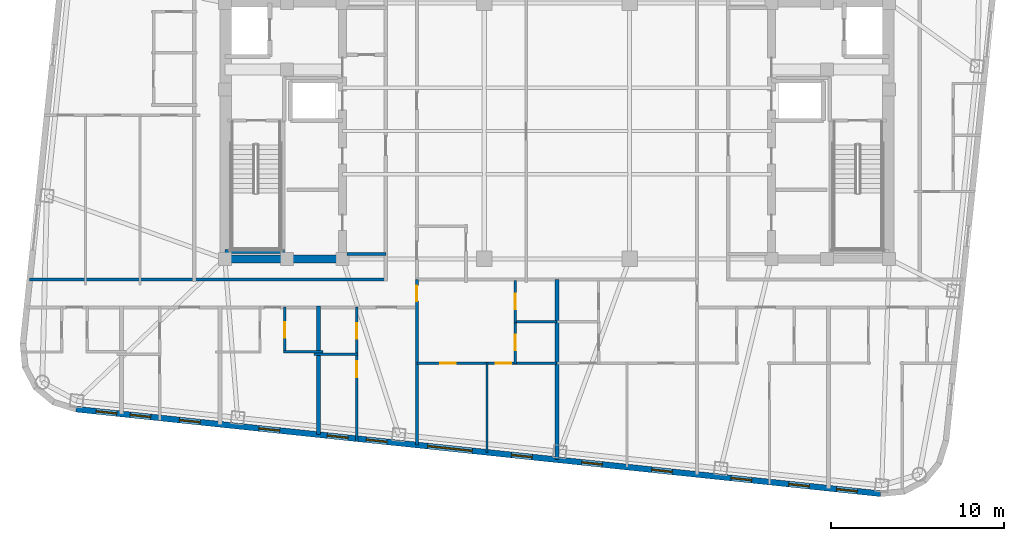
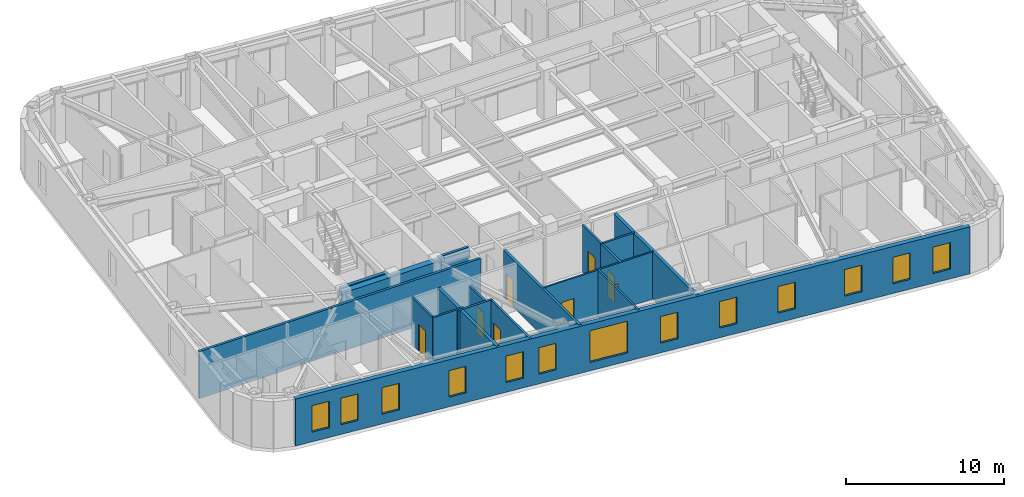
# One storey, part 3 of 11: 18 walls, 13 windows, 8 doors, 21 openings.
"""IFC4 building model written with IfcOpenShell, lengths in metres."""

from ifc_helpers import new_model, si_unit, direction, frame, frame_2d, origin, place, context, subcontext, project, spatial, rectangle, extrude, material, layer, layer_set, type_object, element, fill, save


model = new_model("IFC4")

# Units and contexts
model_context = context("Model", 3, precision=1e-05, world=origin(), true_north=direction((0.0, 1.0)))
body_context = subcontext(model_context, "Body", "Model", "MODEL_VIEW")
ifc_project = project(units=[si_unit("LENGTHUNIT", "METRE"), si_unit("AREAUNIT", "SQUARE_METRE"), si_unit("VOLUMEUNIT", "CUBIC_METRE"), si_unit("PLANEANGLEUNIT", "RADIAN"), si_unit("MASSUNIT", "GRAM", prefix="KILO")], contexts=[model_context])

# Site, building, storey
site_placement = place(None, origin())
site = spatial("IfcSite", under=ifc_project, at=site_placement, CompositionType="ELEMENT")
building_placement = place(site_placement, origin())
building = spatial("IfcBuilding", under=site, at=building_placement, Name="Voryun Gate Residences", CompositionType="ELEMENT")
storey_placement = place(building_placement, frame((0.0, 0.0, 295.10009765625)))
storey = spatial("IfcBuildingStorey", under=building, at=storey_placement, Name="L73", CompositionType="ELEMENT", Elevation=295.10009765625)

# Walls
ifc_material_1 = material(Name="Concrete C50/60", Category="concrete")
ifc_layer_1 = layer(ifc_material_1, 0.449951171875, Name="CW_CORE_450")
ifc_layer_set_1 = layer_set([ifc_layer_1], Name="Concrete C50/60")
wall_type_1 = type_object("IfcWallType", Name="CW_CORE_450", PredefinedType="SHEAR", material=ifc_layer_set_1)
wall_1_placement = place(storey_placement, frame((-19.425048828125, -7.39990234375, 0.0), z_axis=(0.0, 0.0, 1.0), x_axis=(1.0, 0.0, 0.0)))
element("IfcWall", 1, at=wall_1_placement, inside=storey, type_object=wall_type_1, Name="L73 Core shear wall CW-L73-WS", PredefinedType="SHEAR", context=body_context, shape_type="SweptSolid", body=[
    extrude(rectangle(XDim=7.25, YDim=0.449951171875, at=frame_2d((3.625, 0.0))), origin(), (0.0, 0.0, 1.0), 3.635009765625),
])
ifc_material_2 = material(Name="Gypsum acoustic fireboard")
ifc_layer_2 = layer(ifc_material_2, 0.179931640625, Name="W_CORR_RATED_180")
ifc_layer_set_2 = layer_set([ifc_layer_2], Name="Gypsum acoustic fireboard")
wall_type_2 = type_object("IfcWallType", Name="W_CORR_RATED_180", PredefinedType="PARTITIONING", material=ifc_layer_set_2)
wall_2_placement = place(storey_placement, frame((-12.14990234375, -7.1201171875, 0.0), z_axis=(0.0, 0.0, 1.0), x_axis=(1.0, 0.0, 0.0)))
element("IfcWall", 2, at=wall_2_placement, inside=storey, type_object=wall_type_2, Name="Partition wall WP-L73-PLBS-W", PredefinedType="PARTITIONING", context=body_context, shape_type="SweptSolid", body=[
    extrude(rectangle(XDim=2.27001953125, YDim=0.179931640625, at=frame_2d((1.135009765625, 0.0))), origin(), (0.0, 0.0, 1.0), 3.635009765625),
])
wall_3_placement = place(storey_placement, frame((-30.480712890625, -8.590087890625, 0.0), z_axis=(0.0, 0.0, 1.0), x_axis=(1.0, 0.0, 0.0)))
element("IfcWall", 3, at=wall_3_placement, inside=storey, type_object=wall_type_2, Name="Partition wall WP-L73-CWING-WS", PredefinedType="PARTITIONING", context=body_context, shape_type="SweptSolid", body=[
    extrude(rectangle(XDim=20.600830078125, YDim=0.179931640625, at=frame_2d((10.30029296875, 0.0))), origin(), (0.0, 0.0, 1.0), 3.635009765625),
])

# Wall, opening, door
wall_4_placement = place(storey_placement, frame((-8.10009765625, -18.154541015625, 0.0), z_axis=(0.0, 0.0, 1.0), x_axis=(0.0, 1.0, 0.0)))
wall_4 = element("IfcWall", 4, at=wall_4_placement, inside=storey, type_object=wall_type_2, Name="Partition wall WP-L73-SZV-1", PredefinedType="PARTITIONING", context=body_context, shape_type="SweptSolid", body=[
    extrude(rectangle(XDim=9.564453125, YDim=0.179931640625, at=frame_2d((4.7822265625, 0.0))), origin(), (0.0, 0.0, 1.0), 3.635009765625),
])
opening_1_placement = place(wall_4_placement, frame((8.31494140625, 0.0, 0.0)))
opening_1 = element("IfcOpeningElement", 5, at=opening_1_placement, cuts=wall_4, Name="Opening D-INT-2", PredefinedType="OPENING", context=body_context, shape_type="SweptSolid", body=[
    extrude(rectangle(XDim=0.89990234375, YDim=2.050048828125, at=frame_2d((0.449951171875, 1.02490234375))), frame((0.0, 0.099853515625, 0.0), z_axis=(0.0, -1.0, 0.0), x_axis=(1.0, 0.0, 0.0)), (0.0, 0.0, 1.0), 0.199951171875),
])
ifc_material_3 = material(Name="Architectural oak veneer")
door_type = type_object("IfcDoorType", Name="DR_INT_BATH_900", OperationType="NOTDEFINED", PredefinedType="DOOR", material=ifc_material_3)
door_1_placement = place(opening_1_placement, origin())
door_1 = element("IfcDoor", 6, at=door_1_placement, inside=storey, type_object=door_type, Name="Door DR-L73-SZENT-1", OperationType="SINGLE_SWING_LEFT", OverallHeight=2.050048828125, OverallWidth=0.89990234375, PredefinedType="DOOR", context=body_context, shape_type="SweptSolid", body=[
    extrude(rectangle(XDim=0.89990234375, YDim=2.050048828125, at=frame_2d((0.449951171875, 1.02490234375))), frame((0.0, 0.02490234375, 0.0), z_axis=(0.0, -1.0, 0.0), x_axis=(1.0, 0.0, 0.0)), (0.0, 0.0, 1.0), 0.050048828125),
])
fill(opening_1, door_1)

# Wall, openings, windows
ifc_material_4 = material(Name="Charcoal terracotta masonry", Category="masonry")
ifc_layer_3 = layer(ifc_material_4, 0.340087890625, Name="W_EXT_TERRACOTTA_340")
ifc_layer_set_3 = layer_set([ifc_layer_3], Name="Charcoal terracotta masonry")
wall_type_3 = type_object("IfcWallType", Name="W_EXT_TERRACOTTA_340", PredefinedType="ELEMENTEDWALL", material=ifc_layer_set_3)
wall_5_placement = place(storey_placement, frame((18.707763671875, -20.97216796875, 0.0), z_axis=(0.0, 0.0, 1.0), x_axis=(-0.994521888554, 0.104528528102, 0.0)))
wall_5 = element("IfcWall", 7, at=wall_5_placement, inside=storey, type_object=wall_type_3, Name="Exterior wall WEXT-L73-01", PredefinedType="ELEMENTEDWALL", context=body_context, shape_type="SweptSolid", body=[
    extrude(rectangle(XDim=46.766357421875, YDim=0.340087890625, at=frame_2d((23.38330078125, 0.0))), origin(), (0.0, 0.0, 1.0), 3.635009765625),
])
opening_2_placement = place(wall_5_placement, frame((23.733154296875, 0.0, 0.64990234375)))
opening_2 = element("IfcOpeningElement", 8, at=opening_2_placement, cuts=wall_5, Name="Opening WN4", PredefinedType="OPENING", context=body_context, shape_type="SweptSolid", body=[
    extrude(rectangle(XDim=2.60009765625, YDim=2.449951171875, at=frame_2d((1.300048828125, 1.22509765625))), frame((0.0, 0.179931640625, 0.0), z_axis=(0.0, -1.0, 0.0), x_axis=(1.0, 0.0, 0.0)), (0.0, 0.0, 1.0), 0.360107421875),
])
opening_3_placement = place(wall_5_placement, frame((44.40185546875, 0.0, 0.75)))
opening_3 = element("IfcOpeningElement", 9, at=opening_3_placement, cuts=wall_5, Name="Opening WN6", PredefinedType="OPENING", context=body_context, shape_type="SweptSolid", body=[
    extrude(rectangle(XDim=1.199951171875, YDim=2.050048828125, at=frame_2d((0.60009765625, 1.02490234375))), frame((0.0, 0.179931640625, 0.0), z_axis=(0.0, -1.0, 0.0), x_axis=(1.0, 0.0, 0.0)), (0.0, 0.0, 1.0), 0.360107421875),
])
opening_4_placement = place(wall_5_placement, frame((39.552978515625, 0.0, 0.75)))
opening_4 = element("IfcOpeningElement", 10, at=opening_4_placement, cuts=wall_5, Name="Opening WN6", PredefinedType="OPENING", context=body_context, shape_type="SweptSolid", body=[
    extrude(rectangle(XDim=1.199951171875, YDim=2.050048828125, at=frame_2d((0.60009765625, 1.02490234375))), frame((0.0, 0.179931640625, 0.0), z_axis=(0.0, -1.0, 0.0), x_axis=(1.0, 0.0, 0.0)), (0.0, 0.0, 1.0), 0.360107421875),
])
opening_5_placement = place(wall_5_placement, frame((42.418701171875, 0.0, 0.75)))
opening_5 = element("IfcOpeningElement", 11, at=opening_5_placement, cuts=wall_5, Name="Opening WN6", PredefinedType="OPENING", context=body_context, shape_type="SweptSolid", body=[
    extrude(rectangle(XDim=1.199951171875, YDim=2.050048828125, at=frame_2d((0.60009765625, 1.02490234375))), frame((0.0, 0.179931640625, 0.0), z_axis=(0.0, -1.0, 0.0), x_axis=(1.0, 0.0, 0.0)), (0.0, 0.0, 1.0), 0.360107421875),
])
opening_6_placement = place(wall_5_placement, frame((34.93310546875, 0.0, 0.75)))
opening_6 = element("IfcOpeningElement", 12, at=opening_6_placement, cuts=wall_5, Name="Opening WN6", PredefinedType="OPENING", context=body_context, shape_type="SweptSolid", body=[
    extrude(rectangle(XDim=1.199951171875, YDim=2.050048828125, at=frame_2d((0.60009765625, 1.02490234375))), frame((0.0, 0.179931640625, 0.0), z_axis=(0.0, -1.0, 0.0), x_axis=(1.0, 0.0, 0.0)), (0.0, 0.0, 1.0), 0.360107421875),
])
opening_7_placement = place(wall_5_placement, frame((28.69189453125, 0.0, 0.75)))
opening_7 = element("IfcOpeningElement", 13, at=opening_7_placement, cuts=wall_5, Name="Opening WN6", PredefinedType="OPENING", context=body_context, shape_type="SweptSolid", body=[
    extrude(rectangle(XDim=1.199951171875, YDim=2.050048828125, at=frame_2d((0.60009765625, 1.02490234375))), frame((0.0, 0.179931640625, 0.0), z_axis=(0.0, -1.0, 0.0), x_axis=(1.0, 0.0, 0.0)), (0.0, 0.0, 1.0), 0.360107421875),
])
opening_8_placement = place(wall_5_placement, frame((30.95703125, 0.0, 0.75)))
opening_8 = element("IfcOpeningElement", 14, at=opening_8_placement, cuts=wall_5, Name="Opening WN6", PredefinedType="OPENING", context=body_context, shape_type="SweptSolid", body=[
    extrude(rectangle(XDim=1.199951171875, YDim=2.050048828125, at=frame_2d((0.60009765625, 1.02490234375))), frame((0.0, 0.179931640625, 0.0), z_axis=(0.0, -1.0, 0.0), x_axis=(1.0, 0.0, 0.0)), (0.0, 0.0, 1.0), 0.360107421875),
])
opening_9_placement = place(wall_5_placement, frame((7.49462890625, 0.0, 0.75)))
opening_9 = element("IfcOpeningElement", 15, at=opening_9_placement, cuts=wall_5, Name="Opening WN6", PredefinedType="OPENING", context=body_context, shape_type="SweptSolid", body=[
    extrude(rectangle(XDim=1.199951171875, YDim=2.050048828125, at=frame_2d((0.60009765625, 1.02490234375))), frame((0.0, 0.179931640625, 0.0), z_axis=(0.0, -1.0, 0.0), x_axis=(1.0, 0.0, 0.0)), (0.0, 0.0, 1.0), 0.360107421875),
])
opening_10_placement = place(wall_5_placement, frame((4.14599609375, 0.0, 0.75)))
opening_10 = element("IfcOpeningElement", 16, at=opening_10_placement, cuts=wall_5, Name="Opening WN6", PredefinedType="OPENING", context=body_context, shape_type="SweptSolid", body=[
    extrude(rectangle(XDim=1.199951171875, YDim=2.050048828125, at=frame_2d((0.60009765625, 1.02490234375))), frame((0.0, 0.179931640625, 0.0), z_axis=(0.0, -1.0, 0.0), x_axis=(1.0, 0.0, 0.0)), (0.0, 0.0, 1.0), 0.360107421875),
])
opening_11_placement = place(wall_5_placement, frame((1.362060546875, 0.0, 0.75)))
opening_11 = element("IfcOpeningElement", 17, at=opening_11_placement, cuts=wall_5, Name="Opening WN6", PredefinedType="OPENING", context=body_context, shape_type="SweptSolid", body=[
    extrude(rectangle(XDim=1.199951171875, YDim=2.050048828125, at=frame_2d((0.60009765625, 1.02490234375))), frame((0.0, 0.179931640625, 0.0), z_axis=(0.0, -1.0, 0.0), x_axis=(1.0, 0.0, 0.0)), (0.0, 0.0, 1.0), 0.360107421875),
])
opening_12_placement = place(wall_5_placement, frame((20.25439453125, 0.0, 0.75)))
opening_12 = element("IfcOpeningElement", 18, at=opening_12_placement, cuts=wall_5, Name="Opening WN6", PredefinedType="OPENING", context=body_context, shape_type="SweptSolid", body=[
    extrude(rectangle(XDim=1.199951171875, YDim=2.050048828125, at=frame_2d((0.60009765625, 1.02490234375))), frame((0.0, 0.179931640625, 0.0), z_axis=(0.0, -1.0, 0.0), x_axis=(1.0, 0.0, 0.0)), (0.0, 0.0, 1.0), 0.360107421875),
])
opening_13_placement = place(wall_5_placement, frame((16.172119140625, 0.0, 0.75)))
opening_13 = element("IfcOpeningElement", 19, at=opening_13_placement, cuts=wall_5, Name="Opening WN6", PredefinedType="OPENING", context=body_context, shape_type="SweptSolid", body=[
    extrude(rectangle(XDim=1.199951171875, YDim=2.050048828125, at=frame_2d((0.60009765625, 1.02490234375))), frame((0.0, 0.179931640625, 0.0), z_axis=(0.0, -1.0, 0.0), x_axis=(1.0, 0.0, 0.0)), (0.0, 0.0, 1.0), 0.360107421875),
])
opening_14_placement = place(wall_5_placement, frame((12.109619140625, 0.0, 0.75)))
opening_14 = element("IfcOpeningElement", 20, at=opening_14_placement, cuts=wall_5, Name="Opening WN6", PredefinedType="OPENING", context=body_context, shape_type="SweptSolid", body=[
    extrude(rectangle(XDim=1.199951171875, YDim=2.050048828125, at=frame_2d((0.60009765625, 1.02490234375))), frame((0.0, 0.179931640625, 0.0), z_axis=(0.0, -1.0, 0.0), x_axis=(1.0, 0.0, 0.0)), (0.0, 0.0, 1.0), 0.360107421875),
])
ifc_material_5 = material(Name="Laminated low-E glass", Category="glass")
window_type_1 = type_object("IfcWindowType", Name="WN_PENT_TALL_2600", PartitioningType="SINGLE_PANEL", PredefinedType="WINDOW", material=ifc_material_5)
window_1_placement = place(opening_2_placement, origin())
window_1 = element("IfcWindow", 21, at=window_1_placement, inside=storey, type_object=window_type_1, Name="Window WN-WEXT-L73-01-02", OverallHeight=2.449951171875, OverallWidth=2.60009765625, PartitioningType="SINGLE_PANEL", PredefinedType="WINDOW", context=body_context, shape_type="SweptSolid", body=[
    extrude(rectangle(XDim=2.60009765625, YDim=2.449951171875, at=frame_2d((1.300048828125, 1.22509765625))), frame((0.0, 0.030029296875, 0.0), z_axis=(0.0, -1.0, 0.0), x_axis=(1.0, 0.0, 0.0)), (0.0, 0.0, 1.0), 0.06005859375),
])
fill(opening_2, window_1)
ifc_material_6 = material(Name="Laminated low-E glass", Category="glass")
window_type_2 = type_object("IfcWindowType", Name="WN_POD_SLOT_1200", PartitioningType="SINGLE_PANEL", PredefinedType="WINDOW", material=ifc_material_6)
window_2_placement = place(opening_3_placement, origin())
window_2 = element("IfcWindow", 22, at=window_2_placement, inside=storey, type_object=window_type_2, Name="Window WN-L73-DWFIX-12", OverallHeight=2.050048828125, OverallWidth=1.199951171875, PartitioningType="SINGLE_PANEL", PredefinedType="WINDOW", context=body_context, shape_type="SweptSolid", body=[
    extrude(rectangle(XDim=1.199951171875, YDim=2.050048828125, at=frame_2d((0.60009765625, 1.02490234375))), frame((0.0, 0.030029296875, 0.0), z_axis=(0.0, -1.0, 0.0), x_axis=(1.0, 0.0, 0.0)), (0.0, 0.0, 1.0), 0.06005859375),
])
fill(opening_3, window_2)
window_3_placement = place(opening_4_placement, origin())
window_3 = element("IfcWindow", 23, at=window_3_placement, inside=storey, type_object=window_type_2, Name="Window WN-L73-DWFIX-13", OverallHeight=2.050048828125, OverallWidth=1.199951171875, PartitioningType="SINGLE_PANEL", PredefinedType="WINDOW", context=body_context, shape_type="SweptSolid", body=[
    extrude(rectangle(XDim=1.199951171875, YDim=2.050048828125, at=frame_2d((0.60009765625, 1.02490234375))), frame((0.0, 0.030029296875, 0.0), z_axis=(0.0, -1.0, 0.0), x_axis=(1.0, 0.0, 0.0)), (0.0, 0.0, 1.0), 0.06005859375),
])
fill(opening_4, window_3)
window_4_placement = place(opening_5_placement, origin())
window_4 = element("IfcWindow", 24, at=window_4_placement, inside=storey, type_object=window_type_2, Name="Window WN-L73-DWFIX-14", OverallHeight=2.050048828125, OverallWidth=1.199951171875, PartitioningType="SINGLE_PANEL", PredefinedType="WINDOW", context=body_context, shape_type="SweptSolid", body=[
    extrude(rectangle(XDim=1.199951171875, YDim=2.050048828125, at=frame_2d((0.60009765625, 1.02490234375))), frame((0.0, 0.030029296875, 0.0), z_axis=(0.0, -1.0, 0.0), x_axis=(1.0, 0.0, 0.0)), (0.0, 0.0, 1.0), 0.06005859375),
])
fill(opening_5, window_4)
window_5_placement = place(opening_6_placement, origin())
window_5 = element("IfcWindow", 25, at=window_5_placement, inside=storey, type_object=window_type_2, Name="Window WN-L73-DWFIX-15", OverallHeight=2.050048828125, OverallWidth=1.199951171875, PartitioningType="SINGLE_PANEL", PredefinedType="WINDOW", context=body_context, shape_type="SweptSolid", body=[
    extrude(rectangle(XDim=1.199951171875, YDim=2.050048828125, at=frame_2d((0.60009765625, 1.02490234375))), frame((0.0, 0.030029296875, 0.0), z_axis=(0.0, -1.0, 0.0), x_axis=(1.0, 0.0, 0.0)), (0.0, 0.0, 1.0), 0.06005859375),
])
fill(opening_6, window_5)
window_6_placement = place(opening_7_placement, origin())
window_6 = element("IfcWindow", 26, at=window_6_placement, inside=storey, type_object=window_type_2, Name="Window WN-L73-DWFIX-16", OverallHeight=2.050048828125, OverallWidth=1.199951171875, PartitioningType="SINGLE_PANEL", PredefinedType="WINDOW", context=body_context, shape_type="SweptSolid", body=[
    extrude(rectangle(XDim=1.199951171875, YDim=2.050048828125, at=frame_2d((0.60009765625, 1.02490234375))), frame((0.0, 0.030029296875, 0.0), z_axis=(0.0, -1.0, 0.0), x_axis=(1.0, 0.0, 0.0)), (0.0, 0.0, 1.0), 0.06005859375),
])
fill(opening_7, window_6)
window_7_placement = place(opening_8_placement, origin())
window_7 = element("IfcWindow", 27, at=window_7_placement, inside=storey, type_object=window_type_2, Name="Window WN-L73-DWFIX-17", OverallHeight=2.050048828125, OverallWidth=1.199951171875, PartitioningType="SINGLE_PANEL", PredefinedType="WINDOW", context=body_context, shape_type="SweptSolid", body=[
    extrude(rectangle(XDim=1.199951171875, YDim=2.050048828125, at=frame_2d((0.60009765625, 1.02490234375))), frame((0.0, 0.030029296875, 0.0), z_axis=(0.0, -1.0, 0.0), x_axis=(1.0, 0.0, 0.0)), (0.0, 0.0, 1.0), 0.06005859375),
])
fill(opening_8, window_7)
window_8_placement = place(opening_9_placement, origin())
window_8 = element("IfcWindow", 28, at=window_8_placement, inside=storey, type_object=window_type_2, Name="Window WN-L73-DWFIX-18", OverallHeight=2.050048828125, OverallWidth=1.199951171875, PartitioningType="SINGLE_PANEL", PredefinedType="WINDOW", context=body_context, shape_type="SweptSolid", body=[
    extrude(rectangle(XDim=1.199951171875, YDim=2.050048828125, at=frame_2d((0.60009765625, 1.02490234375))), frame((0.0, 0.030029296875, 0.0), z_axis=(0.0, -1.0, 0.0), x_axis=(1.0, 0.0, 0.0)), (0.0, 0.0, 1.0), 0.06005859375),
])
fill(opening_9, window_8)
window_9_placement = place(opening_10_placement, origin())
window_9 = element("IfcWindow", 29, at=window_9_placement, inside=storey, type_object=window_type_2, Name="Window WN-L73-DWFIX-19", OverallHeight=2.050048828125, OverallWidth=1.199951171875, PartitioningType="SINGLE_PANEL", PredefinedType="WINDOW", context=body_context, shape_type="SweptSolid", body=[
    extrude(rectangle(XDim=1.199951171875, YDim=2.050048828125, at=frame_2d((0.60009765625, 1.02490234375))), frame((0.0, 0.030029296875, 0.0), z_axis=(0.0, -1.0, 0.0), x_axis=(1.0, 0.0, 0.0)), (0.0, 0.0, 1.0), 0.06005859375),
])
fill(opening_10, window_9)
window_10_placement = place(opening_11_placement, origin())
window_10 = element("IfcWindow", 30, at=window_10_placement, inside=storey, type_object=window_type_2, Name="Window WN-L73-DWFIX-20", OverallHeight=2.050048828125, OverallWidth=1.199951171875, PartitioningType="SINGLE_PANEL", PredefinedType="WINDOW", context=body_context, shape_type="SweptSolid", body=[
    extrude(rectangle(XDim=1.199951171875, YDim=2.050048828125, at=frame_2d((0.60009765625, 1.02490234375))), frame((0.0, 0.030029296875, 0.0), z_axis=(0.0, -1.0, 0.0), x_axis=(1.0, 0.0, 0.0)), (0.0, 0.0, 1.0), 0.06005859375),
])
fill(opening_11, window_10)
window_11_placement = place(opening_12_placement, origin())
window_11 = element("IfcWindow", 31, at=window_11_placement, inside=storey, type_object=window_type_2, Name="Window WN-L73-DWFIX-22", OverallHeight=2.050048828125, OverallWidth=1.199951171875, PartitioningType="SINGLE_PANEL", PredefinedType="WINDOW", context=body_context, shape_type="SweptSolid", body=[
    extrude(rectangle(XDim=1.199951171875, YDim=2.050048828125, at=frame_2d((0.60009765625, 1.02490234375))), frame((0.0, 0.030029296875, 0.0), z_axis=(0.0, -1.0, 0.0), x_axis=(1.0, 0.0, 0.0)), (0.0, 0.0, 1.0), 0.06005859375),
])
fill(opening_12, window_11)
window_12_placement = place(opening_13_placement, origin())
window_12 = element("IfcWindow", 32, at=window_12_placement, inside=storey, type_object=window_type_2, Name="Window WN-L73-DWFIX-23", OverallHeight=2.050048828125, OverallWidth=1.199951171875, PartitioningType="SINGLE_PANEL", PredefinedType="WINDOW", context=body_context, shape_type="SweptSolid", body=[
    extrude(rectangle(XDim=1.199951171875, YDim=2.050048828125, at=frame_2d((0.60009765625, 1.02490234375))), frame((0.0, 0.030029296875, 0.0), z_axis=(0.0, -1.0, 0.0), x_axis=(1.0, 0.0, 0.0)), (0.0, 0.0, 1.0), 0.06005859375),
])
fill(opening_13, window_12)
window_13_placement = place(opening_14_placement, origin())
window_13 = element("IfcWindow", 33, at=window_13_placement, inside=storey, type_object=window_type_2, Name="Window WN-L73-DWFIX-24", OverallHeight=2.050048828125, OverallWidth=1.199951171875, PartitioningType="SINGLE_PANEL", PredefinedType="WINDOW", context=body_context, shape_type="SweptSolid", body=[
    extrude(rectangle(XDim=1.199951171875, YDim=2.050048828125, at=frame_2d((0.60009765625, 1.02490234375))), frame((0.0, 0.030029296875, 0.0), z_axis=(0.0, -1.0, 0.0), x_axis=(1.0, 0.0, 0.0)), (0.0, 0.0, 1.0), 0.06005859375),
])
fill(opening_14, window_13)

# Walls
ifc_material_7 = material(Name="Concrete C40/50", Category="concrete")
ifc_layer_4 = layer(ifc_material_7, 0.219970703125, Name="W_PARTY_ACOUSTIC_220")
ifc_layer_set_4 = layer_set([ifc_layer_4], Name="Concrete C40/50")
wall_type_4 = type_object("IfcWallType", Name="W_PARTY_ACOUSTIC_220", PredefinedType="PARTITIONING", material=ifc_layer_set_4)
wall_6_placement = place(storey_placement, frame((-13.779052734375, -17.5576171875, 0.0), z_axis=(0.0, 0.0, 1.0), x_axis=(0.0, 1.0, 0.0)))
element("IfcWall", 34, at=wall_6_placement, inside=storey, type_object=wall_type_4, Name="Partition wall WP-L73-SPTY-3", PredefinedType="PARTITIONING", context=body_context, shape_type="SweptSolid", body=[
    extrude(rectangle(XDim=7.4375, YDim=0.219970703125, at=frame_2d((3.71875, 0.0))), origin(), (0.0, 0.0, 1.0), 3.635009765625),
])
wall_7_placement = place(storey_placement, frame((0.0, -19.005859375, 0.0), z_axis=(0.0, 0.0, 1.0), x_axis=(0.0, 1.0, 0.0)))
element("IfcWall", 35, at=wall_7_placement, inside=storey, type_object=wall_type_4, Name="Partition wall WP-L73-SZMID", PredefinedType="PARTITIONING", context=body_context, shape_type="SweptSolid", body=[
    extrude(rectangle(XDim=10.415771484375, YDim=0.219970703125, at=frame_2d((5.2080078125, 0.0))), origin(), (0.0, 0.0, 1.0), 3.635009765625),
])
ifc_material_8 = material(Name="Concrete C50/60", Category="concrete")
ifc_layer_5 = layer(ifc_material_8, 0.25, Name="W_SHAFT_RC250")
ifc_layer_set_5 = layer_set([ifc_layer_5], Name="Concrete C50/60")
wall_type_5 = type_object("IfcWallType", Name="W_SHAFT_RC250", PredefinedType="SOLIDWALL", material=ifc_layer_set_5)
wall_8_placement = place(storey_placement, frame((-19.199951171875, -6.965087890625, 0.0), z_axis=(0.0, 0.0, 1.0), x_axis=(1.0, 0.0, 0.0)))
element("IfcWall", 36, at=wall_8_placement, inside=storey, type_object=wall_type_5, Name="L73 Stair shaft structural wall W-STS", PredefinedType="SOLIDWALL", context=body_context, shape_type="SweptSolid", body=[
    extrude(rectangle(XDim=3.4599609375, YDim=0.25, at=frame_2d((1.72998046875, 0.0))), origin(), (0.0, 0.0, 1.0), 3.635009765625),
])

# Wall, openings, doors
ifc_material_9 = material(Name="Gypsum acoustic partition")
ifc_layer_6 = layer(ifc_material_9, 0.125, Name="W_UNIT_PART_125")
ifc_layer_set_6 = layer_set([ifc_layer_6], Name="Gypsum acoustic partition")
wall_type_6 = type_object("IfcWallType", Name="W_UNIT_PART_125", PredefinedType="PARTITIONING", material=ifc_layer_set_6)
wall_9_placement = place(storey_placement, frame((-8.080078125, -13.429931640625, 0.0), z_axis=(0.0, 0.0, 1.0), x_axis=(1.0, 0.0, 0.0)))
wall_9 = element("IfcWall", 37, at=wall_9_placement, inside=storey, type_object=wall_type_6, Name="Partition wall WP-L73-SC1-HZ", PredefinedType="PARTITIONING", context=body_context, shape_type="SweptSolid", body=[
    extrude(rectangle(XDim=8.06005859375, YDim=0.125, at=frame_2d((4.030029296875, 0.0))), origin(), (0.0, 0.0, 1.0), 3.635009765625),
])
opening_15_placement = place(wall_9_placement, frame((1.3232421875, 0.0, 0.0)))
opening_15 = element("IfcOpeningElement", 38, at=opening_15_placement, cuts=wall_9, Name="Opening D-INT-2", PredefinedType="OPENING", context=body_context, shape_type="SweptSolid", body=[
    extrude(rectangle(XDim=0.89990234375, YDim=2.050048828125, at=frame_2d((0.449951171875, 1.02490234375))), frame((0.0, 0.072509765625, 0.0), z_axis=(0.0, -1.0, 0.0), x_axis=(1.0, 0.0, 0.0)), (0.0, 0.0, 1.0), 0.14501953125),
])
opening_16_placement = place(wall_9_placement, frame((4.547119140625, 0.0, 0.0)))
opening_16 = element("IfcOpeningElement", 39, at=opening_16_placement, cuts=wall_9, Name="Opening D-INT-2", PredefinedType="OPENING", context=body_context, shape_type="SweptSolid", body=[
    extrude(rectangle(XDim=0.89990234375, YDim=2.050048828125, at=frame_2d((0.449951171875, 1.02490234375))), frame((0.0, 0.072509765625, 0.0), z_axis=(0.0, -1.0, 0.0), x_axis=(1.0, 0.0, 0.0)), (0.0, 0.0, 1.0), 0.14501953125),
])
door_2_placement = place(opening_15_placement, origin())
door_2 = element("IfcDoor", 40, at=door_2_placement, inside=storey, type_object=door_type, Name="Door DR-L73-SC1-DMB", OperationType="SINGLE_SWING_LEFT", OverallHeight=2.050048828125, OverallWidth=0.89990234375, PredefinedType="DOOR", context=body_context, shape_type="SweptSolid", body=[
    extrude(rectangle(XDim=0.89990234375, YDim=2.050048828125, at=frame_2d((0.449951171875, 1.02490234375))), frame((0.0, 0.02490234375, 0.0), z_axis=(0.0, -1.0, 0.0), x_axis=(1.0, 0.0, 0.0)), (0.0, 0.0, 1.0), 0.050048828125),
])
fill(opening_15, door_2)
door_3_placement = place(opening_16_placement, origin())
door_3 = element("IfcDoor", 41, at=door_3_placement, inside=storey, type_object=door_type, Name="Door DR-L73-SC1-DBD2", OperationType="SINGLE_SWING_RIGHT", OverallHeight=2.050048828125, OverallWidth=0.89990234375, PredefinedType="DOOR", context=body_context, shape_type="SweptSolid", body=[
    extrude(rectangle(XDim=0.89990234375, YDim=2.050048828125, at=frame_2d((0.449951171875, 1.02490234375))), frame((0.0, 0.02490234375, 0.0), z_axis=(0.0, -1.0, 0.0), x_axis=(1.0, 0.0, 0.0)), (0.0, 0.0, 1.0), 0.050048828125),
])
fill(opening_16, door_3)

# Wall, opening, door
wall_10_placement = place(storey_placement, frame((-2.409912109375, -11.06005859375, 0.0), z_axis=(0.0, 0.0, 1.0), x_axis=(0.0, 1.0, 0.0)))
wall_10 = element("IfcWall", 42, at=wall_10_placement, inside=storey, type_object=wall_type_6, Name="Partition wall WP-L73-SC1-VK1", PredefinedType="PARTITIONING", context=body_context, shape_type="SweptSolid", body=[
    extrude(rectangle(XDim=2.41015625, YDim=0.125, at=frame_2d((1.205078125, 0.0))), origin(), (0.0, 0.0, 1.0), 3.635009765625),
])
opening_17_placement = place(wall_10_placement, frame((0.7548828125, 0.0, 0.0)))
opening_17 = element("IfcOpeningElement", 43, at=opening_17_placement, cuts=wall_10, Name="Opening D-INT-2", PredefinedType="OPENING", context=body_context, shape_type="SweptSolid", body=[
    extrude(rectangle(XDim=0.89990234375, YDim=2.050048828125, at=frame_2d((0.449951171875, 1.02490234375))), frame((0.0, 0.072509765625, 0.0), z_axis=(0.0, -1.0, 0.0), x_axis=(1.0, 0.0, 0.0)), (0.0, 0.0, 1.0), 0.14501953125),
])
door_4_placement = place(opening_17_placement, origin())
door_4 = element("IfcDoor", 44, at=door_4_placement, inside=storey, type_object=door_type, Name="Door DR-L73-SC1-DK", OperationType="SINGLE_SWING_LEFT", OverallHeight=2.050048828125, OverallWidth=0.89990234375, PredefinedType="DOOR", context=body_context, shape_type="SweptSolid", body=[
    extrude(rectangle(XDim=0.89990234375, YDim=2.050048828125, at=frame_2d((0.449951171875, 1.02490234375))), frame((0.0, 0.02490234375, 0.0), z_axis=(0.0, -1.0, 0.0), x_axis=(1.0, 0.0, 0.0)), (0.0, 0.0, 1.0), 0.050048828125),
])
fill(opening_17, door_4)

# Wall
wall_11_placement = place(storey_placement, frame((-4.050048828125, -18.580078125, 0.0), z_axis=(0.0, 0.0, 1.0), x_axis=(0.0, 1.0, 0.0)))
element("IfcWall", 45, at=wall_11_placement, inside=storey, type_object=wall_type_6, Name="Partition wall WP-L73-SC1-VBD", PredefinedType="PARTITIONING", context=body_context, shape_type="SweptSolid", body=[
    extrude(rectangle(XDim=5.190185546875, YDim=0.125, at=frame_2d((2.59521484375, 0.0))), origin(), (0.0, 0.0, 1.0), 3.635009765625),
])

# Wall, opening, door
ifc_material_10 = material(Name="Gypsum moisture-resistant partition")
ifc_layer_7 = layer(ifc_material_10, 0.14990234375, Name="W_WET_PLUMB_150")
ifc_layer_set_7 = layer_set([ifc_layer_7], Name="Gypsum moisture-resistant partition")
wall_type_7 = type_object("IfcWallType", Name="W_WET_PLUMB_150", PredefinedType="PLUMBINGWALL", material=ifc_layer_set_7)
wall_12_placement = place(storey_placement, frame((-15.736083984375, -12.830078125, 0.0), z_axis=(0.0, 0.0, 1.0), x_axis=(0.0, 1.0, 0.0)))
wall_12 = element("IfcWall", 46, at=wall_12_placement, inside=storey, type_object=wall_type_7, Name="Partition wall WP-L73-S3-CVB", PredefinedType="PLUMBINGWALL", context=body_context, shape_type="SweptSolid", body=[
    extrude(rectangle(XDim=2.650146484375, YDim=0.14990234375, at=frame_2d((1.3251953125, 0.0))), origin(), (0.0, 0.0, 1.0), 3.635009765625),
])
opening_18_placement = place(wall_12_placement, frame((0.875, 0.0, 0.0)))
opening_18 = element("IfcOpeningElement", 47, at=opening_18_placement, cuts=wall_12, Name="Opening D-INT-2", PredefinedType="OPENING", context=body_context, shape_type="SweptSolid", body=[
    extrude(rectangle(XDim=0.89990234375, YDim=2.050048828125, at=frame_2d((0.449951171875, 1.02490234375))), frame((0.0, 0.0849609375, 0.0), z_axis=(0.0, -1.0, 0.0), x_axis=(1.0, 0.0, 0.0)), (0.0, 0.0, 1.0), 0.169921875),
])
door_5_placement = place(opening_18_placement, origin())
door_5 = element("IfcDoor", 48, at=door_5_placement, inside=storey, type_object=door_type, Name="Door DR-L73-S3-DB", OperationType="SINGLE_SWING_RIGHT", OverallHeight=2.050048828125, OverallWidth=0.89990234375, PredefinedType="DOOR", context=body_context, shape_type="SweptSolid", body=[
    extrude(rectangle(XDim=0.89990234375, YDim=2.050048828125, at=frame_2d((0.449951171875, 1.02490234375))), frame((0.0, 0.02490234375, 0.0), z_axis=(0.0, -1.0, 0.0), x_axis=(1.0, 0.0, 0.0)), (0.0, 0.0, 1.0), 0.050048828125),
])
fill(opening_18, door_5)

# Walls
wall_13_placement = place(storey_placement, frame((-15.7958984375, -12.77001953125, 0.0), z_axis=(0.0, 0.0, 1.0), x_axis=(1.0, 0.0, 0.0)))
element("IfcWall", 49, at=wall_13_placement, inside=storey, type_object=wall_type_7, Name="Partition wall WP-L73-S3-CHB", PredefinedType="PLUMBINGWALL", context=body_context, shape_type="SweptSolid", body=[
    extrude(rectangle(XDim=2.27685546875, YDim=0.14990234375, at=frame_2d((1.138427734375, 0.0))), origin(), (0.0, 0.0, 1.0), 3.635009765625),
])
wall_14_placement = place(storey_placement, frame((-14.0390625, -12.89990234375, 0.0), z_axis=(0.0, 0.0, 1.0), x_axis=(1.0, 0.0, 0.0)))
element("IfcWall", 50, at=wall_14_placement, inside=storey, type_object=wall_type_7, Name="Partition wall WP-L73-S4-SKB", PredefinedType="PLUMBINGWALL", context=body_context, shape_type="SweptSolid", body=[
    extrude(rectangle(XDim=2.550048828125, YDim=0.14990234375, at=frame_2d((1.27490234375, 0.0))), origin(), (0.0, 0.0, 1.0), 3.635009765625),
])

# Wall, opening, door
wall_15_placement = place(storey_placement, frame((-11.569091796875, -17.94091796875, 0.0), z_axis=(0.0, 0.0, 1.0), x_axis=(0.0, 1.0, 0.0)))
wall_15 = element("IfcWall", 51, at=wall_15_placement, inside=storey, type_object=wall_type_7, Name="Partition wall WP-L73-S4-SVT1", PredefinedType="PLUMBINGWALL", context=body_context, shape_type="SweptSolid", body=[
    extrude(rectangle(XDim=5.080810546875, YDim=0.14990234375, at=frame_2d((2.54052734375, 0.0))), origin(), (0.0, 0.0, 1.0), 3.635009765625),
])
opening_19_placement = place(wall_15_placement, frame((3.71630859375, 0.0, 0.0)))
opening_19 = element("IfcOpeningElement", 52, at=opening_19_placement, cuts=wall_15, Name="Opening D-INT-2", PredefinedType="OPENING", context=body_context, shape_type="SweptSolid", body=[
    extrude(rectangle(XDim=0.89990234375, YDim=2.050048828125, at=frame_2d((0.449951171875, 1.02490234375))), frame((0.0, 0.0849609375, 0.0), z_axis=(0.0, -1.0, 0.0), x_axis=(1.0, 0.0, 0.0)), (0.0, 0.0, 1.0), 0.169921875),
])
door_6_placement = place(opening_19_placement, origin())
door_6 = element("IfcDoor", 53, at=door_6_placement, inside=storey, type_object=door_type, Name="Door DR-L73-S4-DK", OperationType="SINGLE_SWING_LEFT", OverallHeight=2.050048828125, OverallWidth=0.89990234375, PredefinedType="DOOR", context=body_context, shape_type="SweptSolid", body=[
    extrude(rectangle(XDim=0.89990234375, YDim=2.050048828125, at=frame_2d((0.449951171875, 1.02490234375))), frame((0.0, 0.02490234375, 0.0), z_axis=(0.0, -1.0, 0.0), x_axis=(1.0, 0.0, 0.0)), (0.0, 0.0, 1.0), 0.050048828125),
])
fill(opening_19, door_6)

wall_16_placement = place(storey_placement, frame((-11.569091796875, -12.93994140625, 0.0), z_axis=(0.0, 0.0, 1.0), x_axis=(0.0, 1.0, 0.0)))
wall_16 = element("IfcWall", 54, at=wall_16_placement, inside=storey, type_object=wall_type_7, Name="Partition wall WP-L73-S4-SVT2", PredefinedType="PLUMBINGWALL", context=body_context, shape_type="SweptSolid", body=[
    extrude(rectangle(XDim=2.760009765625, YDim=0.14990234375, at=frame_2d((1.3798828125, 0.0))), origin(), (0.0, 0.0, 1.0), 3.074951171875),
])
opening_20_placement = place(wall_16_placement, frame((0.929931640625, 0.0, 0.0)))
opening_20 = element("IfcOpeningElement", 55, at=opening_20_placement, cuts=wall_16, Name="Opening D-INT-2", PredefinedType="OPENING", context=body_context, shape_type="SweptSolid", body=[
    extrude(rectangle(XDim=0.89990234375, YDim=2.050048828125, at=frame_2d((0.449951171875, 1.02490234375))), frame((0.0, 0.0849609375, 0.0), z_axis=(0.0, -1.0, 0.0), x_axis=(1.0, 0.0, 0.0)), (0.0, 0.0, 1.0), 0.169921875),
])
door_7_placement = place(opening_20_placement, origin())
door_7 = element("IfcDoor", 56, at=door_7_placement, inside=storey, type_object=door_type, Name="Door DR-L73-S4-DB", OperationType="SINGLE_SWING_RIGHT", OverallHeight=2.050048828125, OverallWidth=0.89990234375, PredefinedType="DOOR", context=body_context, shape_type="SweptSolid", body=[
    extrude(rectangle(XDim=0.89990234375, YDim=2.050048828125, at=frame_2d((0.449951171875, 1.02490234375))), frame((0.0, 0.02490234375, 0.0), z_axis=(0.0, -1.0, 0.0), x_axis=(1.0, 0.0, 0.0)), (0.0, 0.0, 1.0), 0.050048828125),
])
fill(opening_20, door_7)

wall_17_placement = place(storey_placement, frame((-2.409912109375, -13.469970703125, 0.0), z_axis=(0.0, 0.0, 1.0), x_axis=(0.0, 1.0, 0.0)))
wall_17 = element("IfcWall", 57, at=wall_17_placement, inside=storey, type_object=wall_type_7, Name="Partition wall WP-L73-SC1-VK2", PredefinedType="PLUMBINGWALL", context=body_context, shape_type="SweptSolid", body=[
    extrude(rectangle(XDim=2.469970703125, YDim=0.14990234375, at=frame_2d((1.23486328125, 0.0))), origin(), (0.0, 0.0, 1.0), 3.635009765625),
])
opening_21_placement = place(wall_17_placement, frame((0.784912109375, 0.0, 0.0)))
opening_21 = element("IfcOpeningElement", 58, at=opening_21_placement, cuts=wall_17, Name="Opening D-INT-2", PredefinedType="OPENING", context=body_context, shape_type="SweptSolid", body=[
    extrude(rectangle(XDim=0.89990234375, YDim=2.050048828125, at=frame_2d((0.449951171875, 1.02490234375))), frame((0.0, 0.0849609375, 0.0), z_axis=(0.0, -1.0, 0.0), x_axis=(1.0, 0.0, 0.0)), (0.0, 0.0, 1.0), 0.169921875),
])
door_8_placement = place(opening_21_placement, origin())
door_8 = element("IfcDoor", 59, at=door_8_placement, inside=storey, type_object=door_type, Name="Door DR-L73-SC1-DB", OperationType="SINGLE_SWING_RIGHT", OverallHeight=2.050048828125, OverallWidth=0.89990234375, PredefinedType="DOOR", context=body_context, shape_type="SweptSolid", body=[
    extrude(rectangle(XDim=0.89990234375, YDim=2.050048828125, at=frame_2d((0.449951171875, 1.02490234375))), frame((0.0, 0.02490234375, 0.0), z_axis=(0.0, -1.0, 0.0), x_axis=(1.0, 0.0, 0.0)), (0.0, 0.0, 1.0), 0.050048828125),
])
fill(opening_21, door_8)

# Wall
wall_18_placement = place(storey_placement, frame((-2.449951171875, -11.030029296875, 0.0), z_axis=(0.0, 0.0, 1.0), x_axis=(1.0, 0.0, 0.0)))
element("IfcWall", 60, at=wall_18_placement, inside=storey, type_object=wall_type_7, Name="Partition wall WP-L73-SC1-HKB", PredefinedType="PLUMBINGWALL", context=body_context, shape_type="SweptSolid", body=[
    extrude(rectangle(XDim=2.429931640625, YDim=0.14990234375, at=frame_2d((1.21484375, 0.0))), origin(), (0.0, 0.0, 1.0), 3.635009765625),
])

save(model, "model.ifc")
